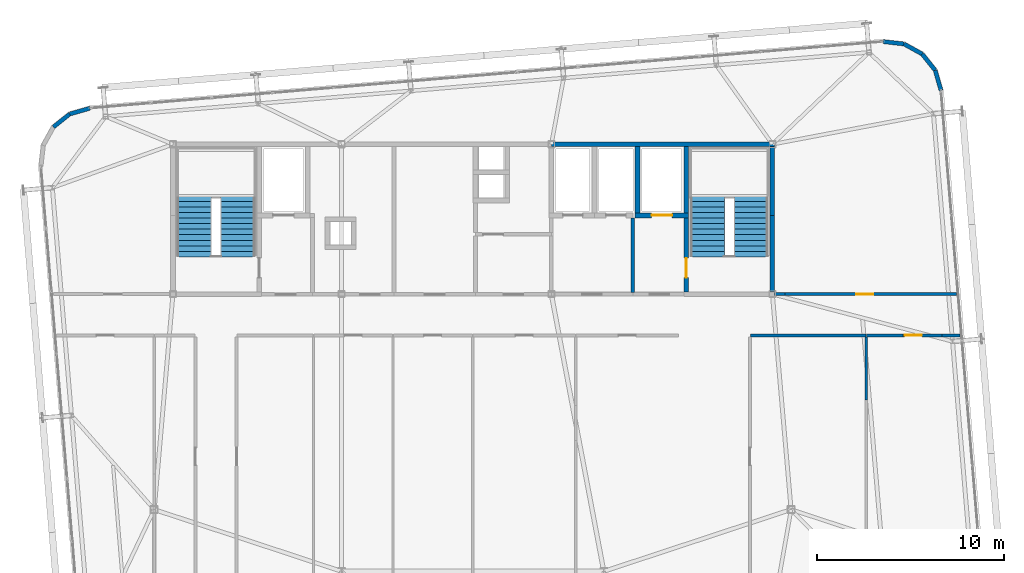
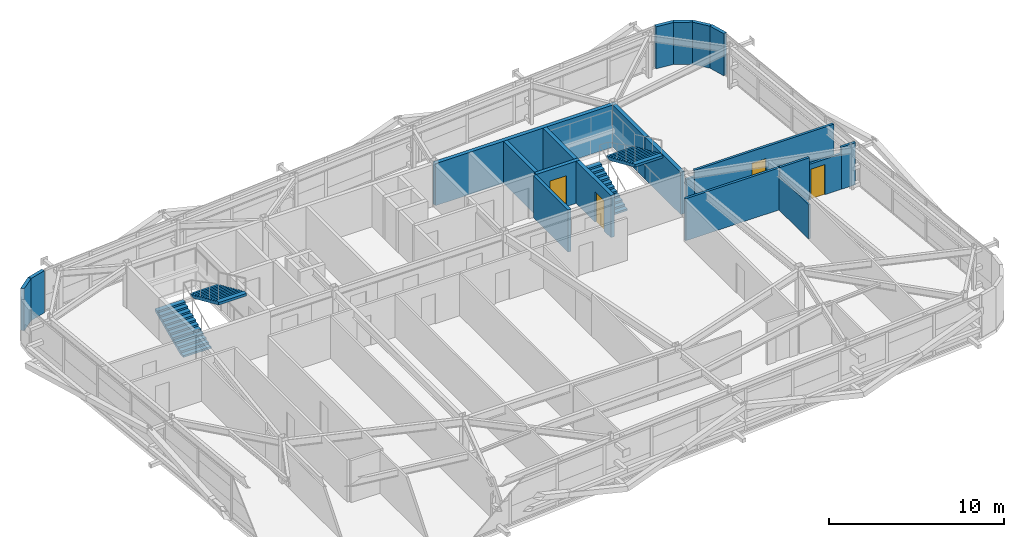
# One storey, part 42 of 44: 21 walls, 4 doors, 4 stair flights, 4 openings, 2 elements without a shape of their own.
"""IFC4 building model written with IfcOpenShell, lengths in metres."""

from ifc_helpers import new_model, si_unit, direction, frame, frame_2d, origin, place, context, subcontext, project, spatial, polyline, rectangle, outline, extrude, source, transform, mapped, material, layer, layer_set, type_object, element, fill, aggregate, save


model = new_model("IFC4")

# Units and contexts
model_context = context("Model", 3, precision=1e-05, world=origin(), true_north=direction((0.0, 1.0)))
body_context = subcontext(model_context, "Body", "Model", "MODEL_VIEW")
ifc_project = project(units=[si_unit("LENGTHUNIT", "METRE"), si_unit("AREAUNIT", "SQUARE_METRE"), si_unit("VOLUMEUNIT", "CUBIC_METRE"), si_unit("PLANEANGLEUNIT", "RADIAN"), si_unit("MASSUNIT", "GRAM", prefix="KILO")], contexts=[model_context])

# Site, building, storey
site_placement = place(None, origin())
site = spatial("IfcSite", under=ifc_project, at=site_placement, CompositionType="ELEMENT")
building_placement = place(site_placement, origin())
building = spatial("IfcBuilding", under=site, at=building_placement, Name="Taldren Reach Tower", CompositionType="ELEMENT")
storey_placement = place(building_placement, frame((0.0, 0.0, 191.449951171875)))
storey = spatial("IfcBuildingStorey", under=building, at=storey_placement, Name="L58", CompositionType="ELEMENT", Elevation=191.449951171875)

# Walls
ifc_material_1 = material(Name="Pale Champagne Anodised Aluminium Cladding", Category="aluminium")
ifc_layer_1 = layer(ifc_material_1, 0.04, Name="Pale Champagne Anodised Aluminium Cladding", Category="aluminium")
ifc_material_2 = material(Name="Mineral Wool Acoustic Insulation", Category="insulation")
ifc_layer_2 = layer(ifc_material_2, 0.06, Name="Mineral Wool Acoustic Insulation", Category="insulation")
ifc_material_3 = material(Name="Steel Gr 350 (C350L0)", Category="steel")
ifc_layer_3 = layer(ifc_material_3, 0.12, Name="Steel Gr 350 (C350L0)", Category="steel")
ifc_layer_set_1 = layer_set([ifc_layer_1, ifc_layer_2, ifc_layer_3], Name="Pale Champagne Aluminium Cladding and Steel Gr 350 Stud Framing")
wall_type_1 = type_object("IfcWallType", Name="EW-CRN-220", PredefinedType="SOLIDWALL", material=ifc_layer_set_1)
shared_shape_1 = source(origin(), body_context, "Body", "SweptSolid", [
    extrude(rectangle(XDim=1.115966796875, YDim=0.219970703125, at=frame_2d((0.55810546875, 0.0))), origin(), (0.0, 0.0, 1.0), 2.929931640625),
])
for number, where, z_axis, x_axis, name in (
    (1, (60.004150390625, 34.870361328125, 0.0), (0.0, 0.0, 1.0), (-0.276512002475, 0.961010464297, 0.0), "Rounded-corner pale-metal facade wall L58-NE1"),
    (2, (59.695556640625, 35.94287109375, 0.0), (0.0, 0.0, 1.0), (-0.623092886403, 0.782147847222, 0.0), "Rounded-corner pale-metal facade wall L58-NE2"),
    (3, (59.000244140625, 36.815673828125, 0.0), (0.0, 0.0, 1.0), (-0.875105012065, 0.483933071672, 0.0), "Rounded-corner pale-metal facade wall L58-NE3"),
    (4, (58.023681640625, 37.355712890625, 0.0), (0.0, 0.0, 1.0), (-0.993657581277, 0.112448259968, 0.0), "Rounded-corner pale-metal facade wall L58-NE4"),
    (5, (14.56396484375, 33.9248046875, 0.0), (0.0, 0.0, 1.0), (-0.961010464297, -0.276512002475, 0.0), "Rounded-corner pale-metal facade wall L58-NW1"),
):
    element("IfcWall", number, at=place(storey_placement, frame(where, z_axis=z_axis, x_axis=x_axis)), inside=storey, type_object=wall_type_1, Name=name, PredefinedType="SOLIDWALL", context=body_context, shape_type="MappedRepresentation", body=[
        mapped(shared_shape_1, transform((0.0, 0.0, 0.0), scale=1.0)),
    ])
shared_shape_2 = source(origin(), body_context, "Body", "SweptSolid", [
    extrude(rectangle(XDim=1.11572265625, YDim=0.219970703125, at=frame_2d((0.557861328125, 0.0))), origin(), (0.0, 0.0, 1.0), 2.929931640625),
])
wall_1_placement = place(storey_placement, frame((13.491455078125, 33.6162109375, 0.0), z_axis=(0.0, 0.0, 1.0), x_axis=(-0.782062884215, -0.623199522732, 0.0)))
element("IfcWall", 6, at=wall_1_placement, inside=storey, type_object=wall_type_1, Name="Rounded-corner pale-metal facade wall L58-NW2", PredefinedType="SOLIDWALL", context=body_context, shape_type="MappedRepresentation", body=[
    mapped(shared_shape_2, transform((0.0, 0.0, 0.0), scale=1.0)),
])
ifc_material_4 = material(Name="Concrete S65 (65 MPa)", Category="concrete")
ifc_layer_4 = layer(ifc_material_4, 0.25)
ifc_layer_set_2 = layer_set([ifc_layer_4], Name="Concrete S65 (65 MPa)")
wall_type_2 = type_object("IfcWallType", Name="IW-CORE-250", PredefinedType="SHEAR", material=ifc_layer_set_2)
shared_shape_3 = source(origin(), body_context, "Body", "SweptSolid", [
    extrude(rectangle(XDim=11.925048828125, YDim=0.25, at=frame_2d((5.96240234375, 0.0))), origin(), (0.0, 0.0, 1.0), 2.929931640625),
])
wall_2_placement = place(storey_placement, frame((39.199951171875, 32.0, 0.0), z_axis=(0.0, 0.0, 1.0), x_axis=(1.0, 0.0, 0.0)))
element("IfcWall", 7, at=wall_2_placement, inside=storey, type_object=wall_type_2, Name="Rear Core Shear Wall W-CORE-L58-NORTH3", PredefinedType="SHEAR", context=body_context, shape_type="MappedRepresentation", body=[
    mapped(shared_shape_3, transform((0.0, 0.0, 0.0), scale=1.0)),
])
shared_shape_4 = source(origin(), body_context, "Body", "SweptSolid", [
    extrude(rectangle(XDim=4.074951171875, YDim=0.25, at=frame_2d((2.03759765625, 0.0))), origin(), (0.0, 0.0, 1.0), 2.929931640625),
])
wall_3_placement = place(storey_placement, frame((51.0, 24.125, 0.0), z_axis=(0.0, 0.0, 1.0), x_axis=(0.0, 1.0, 0.0)))
element("IfcWall", 8, at=wall_3_placement, inside=storey, type_object=wall_type_2, Name="Rear Core Shear Wall W-CORE-L58-EAST1", PredefinedType="SHEAR", context=body_context, shape_type="MappedRepresentation", body=[
    mapped(shared_shape_4, transform((0.0, 0.0, 0.0), scale=1.0)),
])
shared_shape_5 = source(origin(), body_context, "Body", "SweptSolid", [
    extrude(rectangle(XDim=3.675048828125, YDim=0.25, at=frame_2d((1.83740234375, 0.0))), origin(), (0.0, 0.0, 1.0), 2.929931640625),
])
wall_4_placement = place(storey_placement, frame((51.0, 28.199951171875, 0.0), z_axis=(0.0, 0.0, 1.0), x_axis=(0.0, 1.0, 0.0)))
element("IfcWall", 9, at=wall_4_placement, inside=storey, type_object=wall_type_2, Name="Rear Core Shear Wall W-CORE-L58-EAST2", PredefinedType="SHEAR", context=body_context, shape_type="MappedRepresentation", body=[
    mapped(shared_shape_5, transform((0.0, 0.0, 0.0), scale=1.0)),
])
shared_shape_6 = source(origin(), body_context, "Body", "SweptSolid", [
    extrude(rectangle(XDim=3.550048828125, YDim=0.25, at=frame_2d((1.77490234375, 0.0))), origin(), (0.0, 0.0, 1.0), 2.929931640625),
])
for number, where, z_axis, x_axis, name in (
    (10, (46.39990234375, 31.875, 0.0), (0.0, 0.0, 1.0), (0.0, -1.0, 0.0), "Rear Core Shear Wall W-INT-L58-008"),
    (11, (43.800048828125, 31.875, 0.0), (0.0, 0.0, 1.0), (0.0, -1.0, 0.0), "Rear Core Shear Wall W-INT-L58-012"),
):
    element("IfcWall", number, at=place(storey_placement, frame(where, z_axis=z_axis, x_axis=x_axis)), inside=storey, type_object=wall_type_2, Name=name, PredefinedType="SHEAR", context=body_context, shape_type="MappedRepresentation", body=[
        mapped(shared_shape_6, transform((0.0, 0.0, 0.0), scale=1.0)),
    ])

# Wall, opening, door
shared_shape_7 = source(origin(), body_context, "Body", "SweptSolid", [
    extrude(rectangle(XDim=3.949951171875, YDim=0.25, at=frame_2d((1.97509765625, 0.0))), origin(), (0.0, 0.0, 1.0), 2.929931640625),
])
wall_5_placement = place(storey_placement, frame((46.39990234375, 28.074951171875, 0.0), z_axis=(0.0, 0.0, 1.0), x_axis=(0.0, -1.0, 0.0)))
wall_5 = element("IfcWall", 12, at=wall_5_placement, inside=storey, type_object=wall_type_2, Name="Rear Core Shear Wall W-INT-L58-009", PredefinedType="SHEAR", context=body_context, shape_type="MappedRepresentation", body=[
    mapped(shared_shape_7, transform((0.0, 0.0, 0.0), scale=1.0)),
])
shared_shape_8 = source(origin(), body_context, "Body", "SweptSolid", [
    extrude(rectangle(XDim=1.050048828125, YDim=2.10009765625, at=frame_2d((0.52490234375, 1.050048828125))), frame((0.0, 0.135009765625, 0.0), z_axis=(0.0, -1.0, 0.0), x_axis=(1.0, 0.0, 0.0)), (0.0, 0.0, 1.0), 0.27001953125),
])
opening_1_placement = place(wall_5_placement, frame((2.14990234375, 0.0, 0.0)))
opening_1 = element("IfcOpeningElement", 13, at=opening_1_placement, cuts=wall_5, Name="Opening DF-105", PredefinedType="OPENING", context=body_context, shape_type="MappedRepresentation", body=[
    mapped(shared_shape_8, transform((0.0, 0.0, 0.0), scale=1.0)),
])
ifc_material_5 = material(Name="Fire-Rated Care and Stair Exit Door")
door_type_1 = type_object("IfcDoorType", Name="ID-FIRE-105", OperationType="NOTDEFINED", PredefinedType="DOOR", material=ifc_material_5)
shared_shape_9 = source(origin(), body_context, "Body", "SweptSolid", [
    extrude(rectangle(XDim=1.050048828125, YDim=2.10009765625, at=frame_2d((0.52490234375, 1.050048828125))), frame((0.0, 0.02490234375, 0.0), z_axis=(0.0, -1.0, 0.0), x_axis=(1.0, 0.0, 0.0)), (0.0, 0.0, 1.0), 0.050048828125),
])
door_1_placement = place(opening_1_placement, origin())
door_1 = element("IfcDoor", 14, at=door_1_placement, inside=storey, type_object=door_type_1, Name="Fire Exit Stair Door DR-L58-003", OperationType="SINGLE_SWING_RIGHT", OverallHeight=2.10009765625, OverallWidth=1.050048828125, PredefinedType="DOOR", context=body_context, shape_type="MappedRepresentation", body=[
    mapped(shared_shape_9, transform((0.0, 0.0, 0.0), scale=1.0)),
])
fill(opening_1, door_1)

shared_shape_10 = source(origin(), body_context, "Body", "SweptSolid", [
    extrude(rectangle(XDim=2.849853515625, YDim=0.25, at=frame_2d((1.4248046875, 0.0))), origin(), (0.0, 0.0, 1.0), 2.929931640625),
])
wall_6_placement = place(storey_placement, frame((43.675048828125, 28.199951171875, 0.0), z_axis=(0.0, 0.0, 1.0), x_axis=(1.0, 0.0, 0.0)))
wall_6 = element("IfcWall", 15, at=wall_6_placement, inside=storey, type_object=wall_type_2, Name="Rear Core Shear Wall W-INT-L58-011", PredefinedType="SHEAR", context=body_context, shape_type="MappedRepresentation", body=[
    mapped(shared_shape_10, transform((0.0, 0.0, 0.0), scale=1.0)),
])
shared_shape_11 = source(origin(), body_context, "Body", "SweptSolid", [
    extrude(rectangle(XDim=1.10009765625, YDim=2.14990234375, at=frame_2d((0.550048828125, 1.074951171875))), frame((0.0, 0.135009765625, 0.0), z_axis=(0.0, -1.0, 0.0), x_axis=(1.0, 0.0, 0.0)), (0.0, 0.0, 1.0), 0.27001953125),
])
opening_2_placement = place(wall_6_placement, frame((0.875, 0.0, 0.0)))
opening_2 = element("IfcOpeningElement", 16, at=opening_2_placement, cuts=wall_6, Name="Opening LD-FL2", PredefinedType="OPENING", context=body_context, shape_type="MappedRepresentation", body=[
    mapped(shared_shape_11, transform((0.0, 0.0, 0.0), scale=1.0)),
])
ifc_material_6 = material(Name="Stainless Steel Gr 316 Emergency Lift Landing Door", Category="steel")
door_type_2 = type_object("IfcDoorType", Name="LD-EMG-110", OperationType="SLIDING_TO_LEFT", PredefinedType="DOOR", material=ifc_material_6)
shared_shape_12 = source(origin(), body_context, "Body", "SweptSolid", [
    extrude(rectangle(XDim=1.10009765625, YDim=2.14990234375, at=frame_2d((0.550048828125, 1.074951171875))), frame((0.0, 0.02490234375, 0.0), z_axis=(0.0, -1.0, 0.0), x_axis=(1.0, 0.0, 0.0)), (0.0, 0.0, 1.0), 0.050048828125),
])
door_2_placement = place(opening_2_placement, origin())
door_2 = element("IfcDoor", 17, at=door_2_placement, inside=storey, type_object=door_type_2, Name="Lift Landing Door LD-FL2-L58", OperationType="SLIDING_TO_LEFT", OverallHeight=2.14990234375, OverallWidth=1.10009765625, PredefinedType="DOOR", context=body_context, shape_type="MappedRepresentation", body=[
    mapped(shared_shape_12, transform((0.0, 0.0, 0.0), scale=1.0)),
])
fill(opening_2, door_2)

# Walls
ifc_material_7 = material(Name="Concrete S50 (50 MPa)", Category="concrete")
ifc_layer_5 = layer(ifc_material_7, 0.199951171875)
ifc_layer_set_3 = layer_set([ifc_layer_5], Name="Concrete S50 (50 MPa)")
wall_type_3 = type_object("IfcWallType", Name="IW-CORE-200", PredefinedType="SOLIDWALL", material=ifc_layer_set_3)
shared_shape_13 = source(origin(), body_context, "Body", "SweptSolid", [
    extrude(rectangle(XDim=3.974853515625, YDim=0.199951171875, at=frame_2d((1.9873046875, 0.0))), origin(), (0.0, 0.0, 1.0), 2.929931640625),
])
wall_7_placement = place(storey_placement, frame((43.550048828125, 28.074951171875, 0.0), z_axis=(0.0, 0.0, 1.0), x_axis=(0.0, -1.0, 0.0)))
element("IfcWall", 18, at=wall_7_placement, inside=storey, type_object=wall_type_3, Name="Rear Core Shear Wall W-INT-L58-013", PredefinedType="SOLIDWALL", context=body_context, shape_type="MappedRepresentation", body=[
    mapped(shared_shape_13, transform((0.0, 0.0, 0.0), scale=1.0)),
])
ifc_material_8 = material(Name="Fire-Rated Acoustic Plasterboard Stud Wall", Category="gypsum")
ifc_layer_6 = layer(ifc_material_8, 0.159912109375)
ifc_layer_set_4 = layer_set([ifc_layer_6], Name="Fire-Rated Acoustic Plasterboard Stud Wall")
wall_type_4 = type_object("IfcWallType", Name="IW-FIRE-160", PredefinedType="PARTITIONING", material=ifc_layer_set_4)
shared_shape_14 = source(origin(), body_context, "Body", "SweptSolid", [
    extrude(rectangle(XDim=0.5556640625, YDim=0.159912109375, at=frame_2d((0.27783203125, 0.0))), origin(), (0.0, 0.0, 1.0), 2.469970703125),
])
wall_8_placement = place(storey_placement, frame((51.125, 24.0, 0.0), z_axis=(0.0, 0.0, 1.0), x_axis=(1.0, 0.0, 0.0)))
element("IfcWall", 19, at=wall_8_placement, inside=storey, type_object=wall_type_4, Name="Interior Partition Wall W-INT-L58-049", PredefinedType="PARTITIONING", context=body_context, shape_type="MappedRepresentation", body=[
    mapped(shared_shape_14, transform((0.0, 0.0, 0.0), scale=1.0)),
])

# Wall, opening, door
shared_shape_15 = source(origin(), body_context, "Body", "SweptSolid", [
    extrude(rectangle(XDim=9.15283203125, YDim=0.159912109375, at=frame_2d((4.576416015625, 0.0))), origin(), (0.0, 0.0, 1.0), 2.929931640625),
])
wall_9_placement = place(storey_placement, frame((51.6806640625, 24.0, 0.0), z_axis=(0.0, 0.0, 1.0), x_axis=(1.0, 0.0, 0.0)))
wall_9 = element("IfcWall", 20, at=wall_9_placement, inside=storey, type_object=wall_type_4, Name="Interior Partition Wall W-INT-L58-049 part 2", PredefinedType="PARTITIONING", context=body_context, shape_type="MappedRepresentation", body=[
    mapped(shared_shape_15, transform((0.0, 0.0, 0.0), scale=1.0)),
])
shared_shape_16 = source(origin(), body_context, "Body", "SweptSolid", [
    extrude(rectangle(XDim=0.919921875, YDim=2.10009765625, at=frame_2d((0.4599609375, 1.050048828125))), frame((0.0, 0.08984375, 0.0), z_axis=(0.0, -1.0, 0.0), x_axis=(1.0, 0.0, 0.0)), (0.0, 0.0, 1.0), 0.179931640625),
])
opening_3_placement = place(wall_9_placement, frame((3.7861328125, 0.0, 0.0)))
opening_3 = element("IfcOpeningElement", 21, at=opening_3_placement, cuts=wall_9, Name="Opening DI-092", PredefinedType="OPENING", context=body_context, shape_type="MappedRepresentation", body=[
    mapped(shared_shape_16, transform((0.0, 0.0, 0.0), scale=1.0)),
])
ifc_material_9 = material(Name="Solid-Core Timber Suite Door", Category="wood")
door_type_3 = type_object("IfcDoorType", Name="ID-INT-092", OperationType="NOTDEFINED", PredefinedType="DOOR", material=ifc_material_9)
shared_shape_17 = source(origin(), body_context, "Body", "SweptSolid", [
    extrude(rectangle(XDim=0.919921875, YDim=2.10009765625, at=frame_2d((0.4599609375, 1.050048828125))), frame((0.0, 0.02490234375, 0.0), z_axis=(0.0, -1.0, 0.0), x_axis=(1.0, 0.0, 0.0)), (0.0, 0.0, 1.0), 0.050048828125),
])
door_3_placement = place(opening_3_placement, origin())
door_3 = element("IfcDoor", 22, at=door_3_placement, inside=storey, type_object=door_type_3, Name="Interior Door DR-L58-017", OperationType="SINGLE_SWING_RIGHT", OverallHeight=2.10009765625, OverallWidth=0.919921875, PredefinedType="DOOR", context=body_context, shape_type="MappedRepresentation", body=[
    mapped(shared_shape_17, transform((0.0, 0.0, 0.0), scale=1.0)),
])
fill(opening_3, door_3)

# Walls
shared_shape_18 = source(origin(), body_context, "Body", "SweptSolid", [
    extrude(rectangle(XDim=0.9453125, YDim=0.159912109375, at=frame_2d((0.47265625, 0.0))), origin(), (0.0, 0.0, 1.0), 2.929931640625),
])
wall_10_placement = place(storey_placement, frame((61.004638671875, 21.800048828125, 0.0), z_axis=(0.0, 0.0, 1.0), x_axis=(-1.0, 0.0, 0.0)))
element("IfcWall", 23, at=wall_10_placement, inside=storey, type_object=wall_type_4, Name="Interior Partition Wall W-INT-L58-054", PredefinedType="PARTITIONING", context=body_context, shape_type="MappedRepresentation", body=[
    mapped(shared_shape_18, transform((0.0, 0.0, 0.0), scale=1.0)),
])
shared_shape_19 = source(origin(), body_context, "Body", "SweptSolid", [
    extrude(rectangle(XDim=6.177001953125, YDim=0.159912109375, at=frame_2d((3.08837890625, 0.0))), origin(), (0.0, 0.0, 1.0), 2.929931640625),
])
wall_11_placement = place(storey_placement, frame((55.997314453125, 21.800048828125, 0.0), z_axis=(0.0, 0.0, 1.0), x_axis=(-1.0, 0.0, 0.0)))
element("IfcWall", 24, at=wall_11_placement, inside=storey, type_object=wall_type_4, Name="Interior Partition Wall W-INT-L58-053", PredefinedType="PARTITIONING", context=body_context, shape_type="MappedRepresentation", body=[
    mapped(shared_shape_19, transform((0.0, 0.0, 0.0), scale=1.0)),
])

# Wall, opening, door
shared_shape_20 = source(origin(), body_context, "Body", "SweptSolid", [
    extrude(rectangle(XDim=2.09814453125, YDim=0.159912109375, at=frame_2d((1.049072265625, 0.0))), origin(), (0.0, 0.0, 1.0), 2.469970703125),
])
wall_12_placement = place(storey_placement, frame((60.059326171875, 21.800048828125, 0.0), z_axis=(0.0, 0.0, 1.0), x_axis=(-1.0, 0.0, 0.0)))
wall_12 = element("IfcWall", 25, at=wall_12_placement, inside=storey, type_object=wall_type_4, Name="Interior Partition Wall W-INT-L58-054 part 2", PredefinedType="PARTITIONING", context=body_context, shape_type="MappedRepresentation", body=[
    mapped(shared_shape_20, transform((0.0, 0.0, 0.0), scale=1.0)),
])
opening_4_placement = place(wall_12_placement, frame((1.078125, 0.0, 0.0)))
opening_4 = element("IfcOpeningElement", 26, at=opening_4_placement, cuts=wall_12, Name="Opening DI-092", PredefinedType="OPENING", context=body_context, shape_type="MappedRepresentation", body=[
    mapped(shared_shape_16, transform((0.0, 0.0, 0.0), scale=1.0)),
])
door_4_placement = place(opening_4_placement, origin())
door_4 = element("IfcDoor", 27, at=door_4_placement, inside=storey, type_object=door_type_3, Name="Interior Door DR-L58-021", OperationType="SINGLE_SWING_RIGHT", OverallHeight=2.10009765625, OverallWidth=0.919921875, PredefinedType="DOOR", context=body_context, shape_type="MappedRepresentation", body=[
    mapped(shared_shape_17, transform((0.0, 0.0, 0.0), scale=1.0)),
])
fill(opening_4, door_4)

# Walls
shared_shape_21 = source(origin(), body_context, "Body", "SweptSolid", [
    extrude(rectangle(XDim=1.923583984375, YDim=0.159912109375, at=frame_2d((0.9619140625, 0.0))), origin(), (0.0, 0.0, 1.0), 2.929931640625),
])
wall_13_placement = place(storey_placement, frame((57.961181640625, 21.800048828125, 0.0), z_axis=(0.0, 0.0, 1.0), x_axis=(-1.0, 0.0, 0.0)))
element("IfcWall", 28, at=wall_13_placement, inside=storey, type_object=wall_type_4, Name="Interior Partition Wall W-INT-L58-054 part 3", PredefinedType="PARTITIONING", context=body_context, shape_type="MappedRepresentation", body=[
    mapped(shared_shape_21, transform((0.0, 0.0, 0.0), scale=1.0)),
])
ifc_material_10 = material(Name="Insulated Residential Stud Partition", Category="gypsum")
ifc_layer_7 = layer(ifc_material_10, 0.1201171875)
ifc_layer_set_5 = layer_set([ifc_layer_7], Name="Insulated Residential Stud Partition")
wall_type_5 = type_object("IfcWallType", Name="IW-PART-120", PredefinedType="PARTITIONING", material=ifc_layer_set_5)
shared_shape_22 = source(origin(), body_context, "Body", "SweptSolid", [
    extrude(rectangle(XDim=3.359130859375, YDim=0.1201171875, at=frame_2d((1.6796875, 0.0))), origin(), (0.0, 0.0, 1.0), 2.39697265625),
])
wall_14_placement = place(storey_placement, frame((56.017578125, 21.719970703125, 0.0), z_axis=(0.0, 0.0, 1.0), x_axis=(0.0, -1.0, 0.0)))
element("IfcWall", 29, at=wall_14_placement, inside=storey, type_object=wall_type_5, Name="Interior Partition Wall W-INT-L58-066", PredefinedType="PARTITIONING", context=body_context, shape_type="MappedRepresentation", body=[
    mapped(shared_shape_22, transform((0.0, 0.0, 0.0), scale=1.0)),
])

# Stair, stair flights
stair_type = type_object("IfcStairType", Name="ST-HT-315", PredefinedType="HALF_TURN_STAIR", material=ifc_material_7)
stair_1_placement = place(storey_placement, origin())
stair_1 = element("IfcStair", 30, at=stair_1_placement, inside=storey, type_object=stair_type, Name="Fire-isolated exit stair ST1 L58", PredefinedType="HALF_TURN_STAIR")
stair_flight_type = type_object("IfcStairFlightType", Name="SF-STR-315", PredefinedType="STRAIGHT", material=ifc_material_7)
stair_flight_1_placement = place(storey_placement, frame((20.139892578125, 25.989990234375, 0.0), z_axis=(0.0, 0.0, 1.0), x_axis=(0.0, 1.0, 0.0)))
stair_flight_1 = element("IfcStairFlight", 31, at=stair_flight_1_placement, type_object=stair_flight_type, Name="ST1 flight 1", NumberOfRisers=12, NumberOfTreads=11, PredefinedType="STRAIGHT", RiserHeight=0.13125, TreadLength=0.295, context=body_context, shape_type="SweptSolid", body=[
    extrude(outline(polyline([(0.0, 0.0), (0.0, 0.13134765625), (0.294921875, 0.13134765625), (0.294921875, 0.262451171875), (0.590087890625, 0.262451171875), (0.590087890625, 0.393798828125), (0.885009765625, 0.393798828125), (0.885009765625, 0.52490234375), (1.179931640625, 0.52490234375), (1.179931640625, 0.65625), (1.47509765625, 0.65625), (1.47509765625, 0.78759765625), (1.77001953125, 0.78759765625), (1.77001953125, 0.918701171875), (2.06494140625, 0.918701171875), (2.06494140625, 1.050048828125), (2.360107421875, 1.050048828125), (2.360107421875, 1.18115234375), (2.655029296875, 1.18115234375), (2.655029296875, 1.3125), (2.949951171875, 1.3125), (2.949951171875, 1.44384765625), (3.2451171875, 1.44384765625), (3.2451171875, 1.574951171875), (3.2451171875, 1.268798828125), (0.393310546875, 0.0), (0.0, 0.0)])), frame((0.0, 0.919921875, 0.0), z_axis=(0.0, -1.0, 0.0), x_axis=(1.0, 0.0, 0.0)), (0.0, 0.0, 1.0), 1.840087890625),
])
stair_flight_2_placement = place(storey_placement, frame((22.4599609375, 29.235107421875, 1.574951171875), z_axis=(0.0, 0.0, 1.0), x_axis=(0.0, -1.0, 0.0)))
stair_flight_2 = element("IfcStairFlight", 32, at=stair_flight_2_placement, type_object=stair_flight_type, Name="ST1 flight 2", NumberOfRisers=12, NumberOfTreads=11, PredefinedType="STRAIGHT", RiserHeight=0.13125, TreadLength=0.295, context=body_context, shape_type="SweptSolid", body=[
    extrude(outline(polyline([(0.0, 0.0), (0.0, 0.13134765625), (0.294921875, 0.13134765625), (0.294921875, 0.262451171875), (0.590087890625, 0.262451171875), (0.590087890625, 0.393798828125), (0.885009765625, 0.393798828125), (0.885009765625, 0.52490234375), (1.179931640625, 0.52490234375), (1.179931640625, 0.65625), (1.47509765625, 0.65625), (1.47509765625, 0.78759765625), (1.77001953125, 0.78759765625), (1.77001953125, 0.918701171875), (2.06494140625, 0.918701171875), (2.06494140625, 1.050048828125), (2.360107421875, 1.050048828125), (2.360107421875, 1.18115234375), (2.655029296875, 1.18115234375), (2.655029296875, 1.3125), (2.949951171875, 1.3125), (2.949951171875, 1.44384765625), (3.2451171875, 1.44384765625), (3.2451171875, 1.574951171875), (3.2451171875, 1.268798828125), (0.393310546875, 0.0), (0.0, 0.0)])), frame((0.0, 0.919921875, 0.0), z_axis=(0.0, -1.0, 0.0), x_axis=(1.0, 0.0, 0.0)), (0.0, 0.0, 1.0), 1.840087890625),
])
aggregate(stair_1, [stair_flight_1, stair_flight_2])

stair_2_placement = place(storey_placement, origin())
stair_2 = element("IfcStair", 33, at=stair_2_placement, inside=storey, type_object=stair_type, Name="Fire-isolated exit stair ST2 L58", PredefinedType="HALF_TURN_STAIR")
stair_flight_3_placement = place(storey_placement, frame((47.5400390625, 25.989990234375, 0.0), z_axis=(0.0, 0.0, 1.0), x_axis=(0.0, 1.0, 0.0)))
stair_flight_3 = element("IfcStairFlight", 34, at=stair_flight_3_placement, type_object=stair_flight_type, Name="ST2 flight 1", NumberOfRisers=12, NumberOfTreads=11, PredefinedType="STRAIGHT", RiserHeight=0.13125, TreadLength=0.295, context=body_context, shape_type="SweptSolid", body=[
    extrude(outline(polyline([(0.0, 0.0), (0.0, 0.13134765625), (0.294921875, 0.13134765625), (0.294921875, 0.262451171875), (0.590087890625, 0.262451171875), (0.590087890625, 0.393798828125), (0.885009765625, 0.393798828125), (0.885009765625, 0.52490234375), (1.179931640625, 0.52490234375), (1.179931640625, 0.65625), (1.47509765625, 0.65625), (1.47509765625, 0.78759765625), (1.77001953125, 0.78759765625), (1.77001953125, 0.918701171875), (2.06494140625, 0.918701171875), (2.06494140625, 1.050048828125), (2.360107421875, 1.050048828125), (2.360107421875, 1.18115234375), (2.655029296875, 1.18115234375), (2.655029296875, 1.3125), (2.949951171875, 1.3125), (2.949951171875, 1.44384765625), (3.2451171875, 1.44384765625), (3.2451171875, 1.574951171875), (3.2451171875, 1.268798828125), (0.393310546875, 0.0), (0.0, 0.0)])), frame((0.0, 0.919921875, 0.0), z_axis=(0.0, -1.0, 0.0), x_axis=(1.0, 0.0, 0.0)), (0.0, 0.0, 1.0), 1.840087890625),
])
stair_flight_4_placement = place(storey_placement, frame((49.860107421875, 29.235107421875, 1.574951171875), z_axis=(0.0, 0.0, 1.0), x_axis=(0.0, -1.0, 0.0)))
stair_flight_4 = element("IfcStairFlight", 35, at=stair_flight_4_placement, type_object=stair_flight_type, Name="ST2 flight 2", NumberOfRisers=12, NumberOfTreads=11, PredefinedType="STRAIGHT", RiserHeight=0.13125, TreadLength=0.295, context=body_context, shape_type="SweptSolid", body=[
    extrude(outline(polyline([(0.0, 0.0), (0.0, 0.13134765625), (0.294921875, 0.13134765625), (0.294921875, 0.262451171875), (0.590087890625, 0.262451171875), (0.590087890625, 0.393798828125), (0.885009765625, 0.393798828125), (0.885009765625, 0.52490234375), (1.179931640625, 0.52490234375), (1.179931640625, 0.65625), (1.47509765625, 0.65625), (1.47509765625, 0.78759765625), (1.77001953125, 0.78759765625), (1.77001953125, 0.918701171875), (2.06494140625, 0.918701171875), (2.06494140625, 1.050048828125), (2.360107421875, 1.050048828125), (2.360107421875, 1.18115234375), (2.655029296875, 1.18115234375), (2.655029296875, 1.3125), (2.949951171875, 1.3125), (2.949951171875, 1.44384765625), (3.2451171875, 1.44384765625), (3.2451171875, 1.574951171875), (3.2451171875, 1.268798828125), (0.393310546875, 0.0), (0.0, 0.0)])), frame((0.0, 0.919921875, 0.0), z_axis=(0.0, -1.0, 0.0), x_axis=(1.0, 0.0, 0.0)), (0.0, 0.0, 1.0), 1.840087890625),
])
aggregate(stair_2, [stair_flight_3, stair_flight_4])

save(model, "model.ifc")
